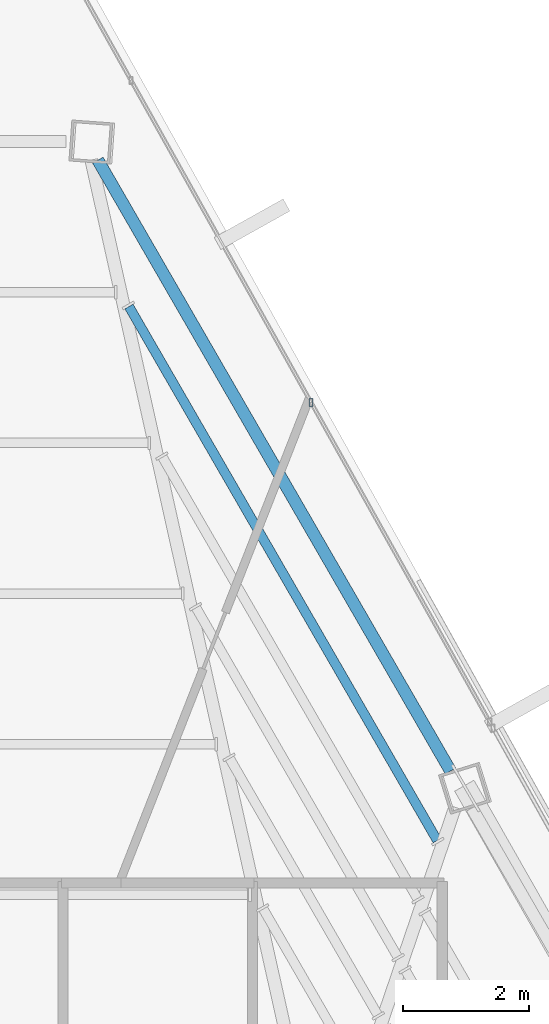
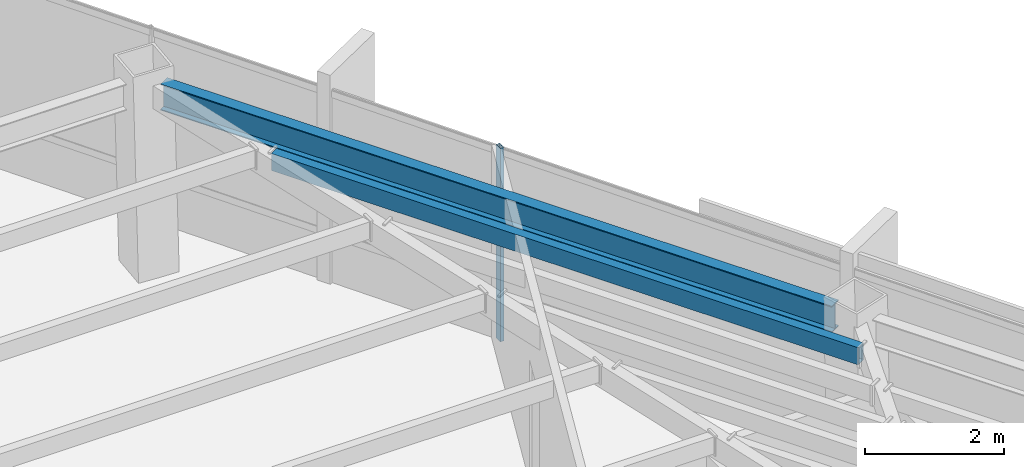
# One storey, part 34 of 47: 2 beams, 1 member, 1 element without a shape of its own.
"""IFC4 building model written with IfcOpenShell, lengths in metres."""

import ifcopenshell
import ifcopenshell.guid

model = None  # the IFC model being written
_history = None  # IfcOwnerHistory: only IFC2X3 demands one
_inside = {}  # id of a spatial element -> (the spatial element, [elements in it])
_under = {}  # id of a project, library or spatial element -> (it, [spatial elements below it])
_declared = {}  # id of a project -> (the project, [libraries it declares])
_typed = {}  # id of a type object -> (the type object, [elements of that type])
_made_of = {}  # id of a material, layer set ... -> (it, [elements and type objects made of it])


def new_model(schema):
    """Start an empty IFC model of exactly this schema.

    Asked for "IFC4X3", IfcOpenShell would pick the latest addendum, in which some entities
    have other attributes; the version numbers below select the first issue.
    IFC2X3 requires an IfcOwnerHistory on every rooted entity: one is made here for all.
    """
    global model, _history
    if schema == "IFC4X3":
        model = ifcopenshell.file(schema_version=(4, 3, 0, 0))
    else:
        model = ifcopenshell.file(schema=schema)
    _inside.clear()
    _under.clear()
    _declared.clear()
    _typed.clear()
    _made_of.clear()
    _history = None
    if model.schema == "IFC2X3":
        org = make("IfcOrganization", Name="unknown")
        user = make(
            "IfcPersonAndOrganization",
            ThePerson=make("IfcPerson", FamilyName="unknown"),
            TheOrganization=org,
        )
        app = make(
            "IfcApplication",
            ApplicationDeveloper=org,
            Version="unknown",
            ApplicationFullName="unknown",
            ApplicationIdentifier="unknown",
        )
        _history = make(
            "IfcOwnerHistory",
            OwningUser=user,
            OwningApplication=app,
            ChangeAction="ADDED",
            CreationDate=0,
        )
    return model


def make(cls, **values):
    """One entity of the class cls with the attributes given. An attribute that is None is left unset."""
    return model.create_entity(
        cls, **{name: value for name, value in values.items() if value is not None}
    )


def rooted(cls, **values):
    """An entity with a GlobalId (a new one), such as an element, a storey or a relation."""
    return make(cls, GlobalId=ifcopenshell.guid.new(), OwnerHistory=_history, **values)


def si_unit(unit_type, name, prefix=None):
    """IfcSIUnit, for example si_unit("LENGTHUNIT", "METRE", prefix="MILLI")."""
    return make("IfcSIUnit", UnitType=unit_type, Prefix=prefix, Name=name)


def assignment(units):
    """IfcUnitAssignment: the units of a project."""
    return None if units is None else make("IfcUnitAssignment", Units=units)


def point(xyz):
    """IfcCartesianPoint."""
    return None if xyz is None else make("IfcCartesianPoint", Coordinates=xyz)


def direction(xyz):
    """IfcDirection."""
    return None if xyz is None else make("IfcDirection", DirectionRatios=xyz)


def frame(location, z_axis=None, x_axis=None):
    """IfcAxis2Placement3D, a coordinate frame: its origin and axes. An axis left out is left unset."""
    return make(
        "IfcAxis2Placement3D",
        Location=point(location),
        Axis=direction(z_axis),
        RefDirection=direction(x_axis),
    )


def frame_2d(location, x_axis=None):
    """IfcAxis2Placement2D, a coordinate frame in the plane: its origin and x axis."""
    return make(
        "IfcAxis2Placement2D", Location=point(location), RefDirection=direction(x_axis)
    )


def origin():
    """The frame at (0, 0, 0) with its axes left unset."""
    return frame((0.0, 0.0, 0.0))


def origin_2d():
    """The frame at (0, 0) in the plane with its x axis left unset."""
    return frame_2d((0.0, 0.0))


def place(relative_to, where):
    """IfcLocalPlacement: puts the frame where relative to a parent placement (None: the world)."""
    return make(
        "IfcLocalPlacement", PlacementRelTo=relative_to, RelativePlacement=where
    )


def context(
    kind, dimensions, precision=None, world=None, true_north=None, identifier=None
):
    """IfcGeometricRepresentationContext, for example the 3D "Model" context."""
    return make(
        "IfcGeometricRepresentationContext",
        ContextIdentifier=identifier,
        ContextType=kind,
        CoordinateSpaceDimension=dimensions,
        Precision=precision,
        WorldCoordinateSystem=world,
        TrueNorth=true_north,
    )


def subcontext(parent, identifier, kind, view, scale=None):
    """IfcGeometricRepresentationSubContext, for example "Body" below "Model"."""
    return make(
        "IfcGeometricRepresentationSubContext",
        ContextIdentifier=identifier,
        ContextType=kind,
        ParentContext=parent,
        TargetScale=scale,
        TargetView=view,
    )


def project(units=None, contexts=None):
    """IfcProject with its units and contexts."""
    return rooted(
        "IfcProject",
        Name="project",
        RepresentationContexts=contexts,
        UnitsInContext=assignment(units),
    )


def spatial(cls, under=None, at=None, **own):
    """A site, building, storey or space (cls), placed at a placement, below another one or the project."""
    s = rooted(cls, ObjectPlacement=at, **own)
    if under is not None:
        _under.setdefault(under.id(), (under, []))[1].append(s)
    return s


def profile(cls, at=None, kind="AREA", **sizes):
    """A parametric profile (cls). Its sizes go by their IFC names, for example OverallWidth=200.0."""
    return make(cls, ProfileType=kind, Position=at, **sizes)


def hollow_rectangle(**sizes):
    """IfcRectangleHollowProfileDef."""
    return profile("IfcRectangleHollowProfileDef", **sizes)


def i_section(**sizes):
    """IfcIShapeProfileDef."""
    return profile("IfcIShapeProfileDef", **sizes)


def extrude(swept, where, along, depth):
    """IfcExtrudedAreaSolid: the profile swept, set in the frame where, extruded along a direction by depth."""
    return make(
        "IfcExtrudedAreaSolid",
        SweptArea=swept,
        Position=where,
        ExtrudedDirection=direction(along),
        Depth=depth,
    )


def shape(context_of_items, identifier, shape_type, items):
    """IfcShapeRepresentation: the items that make up one representation, for example the "Body"."""
    return make(
        "IfcShapeRepresentation",
        ContextOfItems=context_of_items,
        RepresentationIdentifier=identifier,
        RepresentationType=shape_type,
        Items=items,
    )


def source(mapping_origin, context_of_items, identifier, shape_type, items):
    """IfcRepresentationMap: a shape defined once, which mapped items show again and again."""
    return make(
        "IfcRepresentationMap",
        MappingOrigin=mapping_origin,
        MappedRepresentation=shape(context_of_items, identifier, shape_type, items),
    )


def transform(
    local_origin,
    x_axis=None,
    y_axis=None,
    z_axis=None,
    scale=None,
    scale2=None,
    scale3=None,
    uniform=True,
):
    """IfcCartesianTransformationOperator3D, or its non-uniform kind. x_axis, y_axis, z_axis: its Axis1, 2, 3."""
    if uniform:
        return make(
            "IfcCartesianTransformationOperator3D",
            Axis1=direction(x_axis),
            Axis2=direction(y_axis),
            LocalOrigin=point(local_origin),
            Scale=scale,
            Axis3=direction(z_axis),
        )
    return make(
        "IfcCartesianTransformationOperator3DnonUniform",
        Axis1=direction(x_axis),
        Axis2=direction(y_axis),
        LocalOrigin=point(local_origin),
        Scale=scale,
        Axis3=direction(z_axis),
        Scale2=scale2,
        Scale3=scale3,
    )


def mapped(mapping_source, mapping_target):
    """IfcMappedItem: shows the shape of a source again, moved by a transform."""
    return make(
        "IfcMappedItem", MappingSource=mapping_source, MappingTarget=mapping_target
    )


def material(Name=None, Category=None):
    """IfcMaterial."""
    return make("IfcMaterial", Name=Name, Category=Category)


def material_profile(
    of_material, cross_section, Name=None, Category=None, Priority=None
):
    """IfcMaterialProfile: a cross section and its material."""
    return make(
        "IfcMaterialProfile",
        Name=Name,
        Material=of_material,
        Profile=cross_section,
        Priority=Priority,
        Category=Category,
    )


def profile_set(profiles, Name=None, composite=None):
    """IfcMaterialProfileSet."""
    return make(
        "IfcMaterialProfileSet",
        Name=Name,
        MaterialProfiles=profiles,
        CompositeProfile=composite,
    )


def made_of(thing, what):
    """Note that an element or type object is made of a material, layer set ...; save() writes the relation."""
    if what is not None:
        _made_of.setdefault(what.id(), (what, []))[1].append(thing)
    return thing


def type_object(cls, material=None, **own):
    """A type object (cls), such as IfcWallType, which elements share."""
    return made_of(rooted(cls, **own), material)


def type_shapes(of_type, sources):
    """Give a type object the sources (RepresentationMaps) that its elements show as mapped items."""
    of_type.RepresentationMaps = sources


def element(
    cls,
    number,
    at=None,
    inside=None,
    cuts=None,
    type_object=None,
    material=None,
    context=None,
    identifier="Body",
    shape_type=None,
    held_by="IfcProductDefinitionShape",
    body=None,
    shapes=None,
    **own,
):
    """One element of the class cls, such as IfcWall. Its Tag is "e" and its number.

    at: its placement. inside: the storey or other place that contains it. cuts: it is an
    opening in that element (IfcRelVoidsElement). A single representation is given by context,
    identifier, shape_type and body (its items); several are given by shapes. held_by: the class
    of the entity that holds the representations. save() writes the other relations.
    """
    e = rooted(cls, Tag="e%d" % number, ObjectPlacement=at, **own)
    if body is not None:
        shapes = [shape(context, identifier, shape_type, body)]
    if shapes is not None:
        e.Representation = make(held_by, Representations=shapes)
    if inside is not None:
        _inside.setdefault(inside.id(), (inside, []))[1].append(e)
    if cuts is not None:
        rooted(
            "IfcRelVoidsElement", RelatingBuildingElement=cuts, RelatedOpeningElement=e
        )
    if type_object is not None:
        _typed.setdefault(type_object.id(), (type_object, []))[1].append(e)
    return made_of(e, material)


def aggregate(whole, parts):
    """IfcRelAggregates: a whole, such as a stair, and the parts it consists of."""
    return rooted("IfcRelAggregates", RelatingObject=whole, RelatedObjects=parts)


def save(model, path):
    """Write the relations noted so far, then the file.

    IfcRelAggregates (storeys below a building ...), IfcRelContainedInSpatialStructure (elements
    in a storey), IfcRelDefinesByType, IfcRelAssociatesMaterial and IfcRelDeclares: one each for
    every whole, place, type object, material and project.
    """
    for whole, parts in _under.values():
        aggregate(whole, parts)
    for where, things in _inside.values():
        rooted(
            "IfcRelContainedInSpatialStructure",
            RelatedElements=things,
            RelatingStructure=where,
        )
    for kind, things in _typed.values():
        rooted("IfcRelDefinesByType", RelatedObjects=things, RelatingType=kind)
    for what, things in _made_of.values():
        rooted("IfcRelAssociatesMaterial", RelatedObjects=things, RelatingMaterial=what)
    for by, libraries in _declared.values():
        rooted("IfcRelDeclares", RelatingContext=by, RelatedDefinitions=libraries)
    model.write(path)


model = new_model("IFC4")

# Units and contexts
model_context = context("Model", 3, precision=1e-05, world=origin(), true_north=direction((0.0, 1.0)))
body_context = subcontext(model_context, "Body", "Model", "MODEL_VIEW")
ifc_project = project(units=[si_unit("LENGTHUNIT", "METRE"), si_unit("AREAUNIT", "SQUARE_METRE"), si_unit("VOLUMEUNIT", "CUBIC_METRE"), si_unit("PLANEANGLEUNIT", "RADIAN"), si_unit("MASSUNIT", "GRAM", prefix="KILO")], contexts=[model_context])

# Site, building, storey
site_placement = place(None, origin())
site = spatial("IfcSite", under=ifc_project, at=site_placement, CompositionType="ELEMENT")
building_placement = place(site_placement, origin())
building = spatial("IfcBuilding", under=site, at=building_placement, Name="Caelisora Broadcast Tower", CompositionType="ELEMENT")
storey_placement = place(building_placement, frame((0.0, 0.0, 255.39990234375)))
storey = spatial("IfcBuildingStorey", under=building, at=storey_placement, Name="L67", CompositionType="ELEMENT", Elevation=255.39990234375)

# Beams
ifc_material_1 = material(Name="Steel Grade 350 (AS/NZS 3679.1)", Category="steel")
ifc_material_profile_1 = material_profile(ifc_material_1, i_section(OverallWidth=0.19091796875, OverallDepth=0.46044921875, WebThickness=0.010009765625, FlangeThickness=0.01611328125, at=origin_2d()), Name="Steel Grade 350 (AS/NZS 3679.1)")
ifc_profile_set_1 = profile_set([ifc_material_profile_1], Name="Steel Grade 350 (AS/NZS 3679.1)")
beam_type_1 = type_object("IfcBeamType", Name="PG06", PredefinedType="BEAM", material=ifc_profile_set_1)
shared_shape_1 = source(origin(), body_context, "Body", "SweptSolid", [
    extrude(i_section(OverallWidth=0.19091796875, OverallDepth=0.46044921875, WebThickness=0.010009765625, FlangeThickness=0.01611328125, at=origin_2d()), origin(), (0.0, 0.0, 1.0), 11.1572265625),
])
type_shapes(beam_type_1, [shared_shape_1])
beam_1_placement = place(storey_placement, frame((47.5302734375, 36.724365234375, 3.169921875), z_axis=(-0.50000342009, 0.866023429186, 0.0), x_axis=(-0.866023429186, -0.50000342009, 0.0)))
element("IfcBeam", 1, at=beam_1_placement, inside=storey, type_object=beam_type_1, Name="L67 beam PG06", PredefinedType="BEAM", context=body_context, shape_type="MappedRepresentation", body=[
    mapped(shared_shape_1, transform((0.0, 0.0, 0.0), scale=1.0)),
])
ifc_material_2 = material(Name="Steel Grade 350 (AS/NZS 1163 C350L0)", Category="steel")
ifc_material_profile_2 = material_profile(ifc_material_2, hollow_rectangle(XDim=0.14990234375, YDim=0.300048828125, WallThickness=0.010009765625, at=origin_2d()), Name="Steel Grade 350 (AS/NZS 1163 C350L0)")
ifc_profile_set_2 = profile_set([ifc_material_profile_2], Name="Steel Grade 350 (AS/NZS 1163 C350L0)")
beam_type_2 = type_object("IfcBeamType", Name="SB05", PredefinedType="JOIST", material=ifc_profile_set_2)
shared_shape_2 = source(origin(), body_context, "Body", "SweptSolid", [
    extrude(hollow_rectangle(XDim=0.14990234375, YDim=0.300048828125, WallThickness=0.010009765625, at=origin_2d()), origin(), (0.0, 0.0, 1.0), 9.7529296875),
])
type_shapes(beam_type_2, [shared_shape_2])
beam_2_placement = place(storey_placement, frame((47.3203125, 35.625, 3.25), z_axis=(-0.499999813892, 0.866025511234, 0.0), x_axis=(-0.866025511234, -0.499999813892, 0.0)))
element("IfcBeam", 2, at=beam_2_placement, inside=storey, type_object=beam_type_2, Name="L67 beam SB05", PredefinedType="JOIST", context=body_context, shape_type="MappedRepresentation", body=[
    mapped(shared_shape_2, transform((0.0, 0.0, 0.0), scale=1.0)),
])

# Curtain wall, member
ifc_material_3 = material(Name="Unitised Aluminium and Low-E Glass Curtain Wall", Category="glass")
curtain_wall_type = type_object("IfcCurtainWallType", Name="CW-Z5", PredefinedType="NOTDEFINED", material=ifc_material_3)
curtain_wall_placement = place(storey_placement, origin())
curtain_wall = element("IfcCurtainWall", 3, at=curtain_wall_placement, inside=storey, type_object=curtain_wall_type, Name="L67 curtain wall CW-Z5", PredefinedType="NOTDEFINED")
ifc_material_4 = material(Name="Aluminium 6063-T6 Anodised Terracotta Bronze", Category="aluminium")
ifc_material_profile_3 = material_profile(ifc_material_4, hollow_rectangle(XDim=0.06005859375, YDim=0.1201171875, WallThickness=0.0029296875, at=origin_2d()), Name="Aluminium 6063-T6 Anodised Terracotta Bronze")
ifc_profile_set_3 = profile_set([ifc_material_profile_3], Name="Aluminium 6063-T6 Anodised Terracotta Bronze")
member_type = type_object("IfcMemberType", Name="CWM-04", PredefinedType="MULLION", material=ifc_profile_set_3)
shared_shape_3 = source(origin(), body_context, "Body", "SweptSolid", [
    extrude(hollow_rectangle(XDim=0.06005859375, YDim=0.1201171875, WallThickness=0.0029296875, at=origin_2d()), origin(), (0.0, 0.0, 1.0), 3.400146484375),
])
type_shapes(member_type, [shared_shape_3])
member_placement = place(storey_placement, frame((45.324951171875, 42.5537109375, 0.0), z_axis=(0.0, 0.0, 1.0), x_axis=(1.0, 0.0, 0.0)))
member = element("IfcMember", 4, at=member_placement, type_object=member_type, Name="L67-CW-B01 mullion #2", PredefinedType="MULLION", context=body_context, shape_type="MappedRepresentation", body=[
    mapped(shared_shape_3, transform((0.0, 0.0, 0.0), scale=1.0)),
])
aggregate(curtain_wall, [member])

save(model, "model.ifc")
